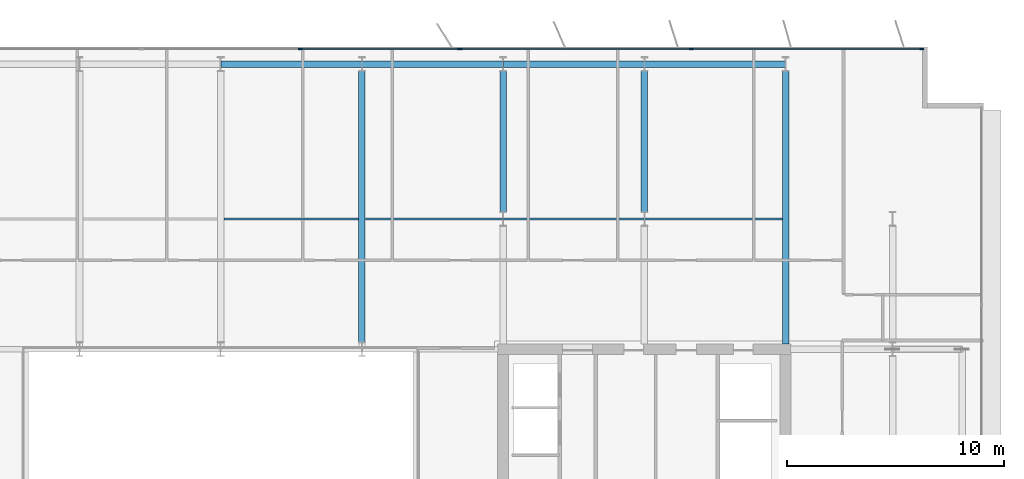
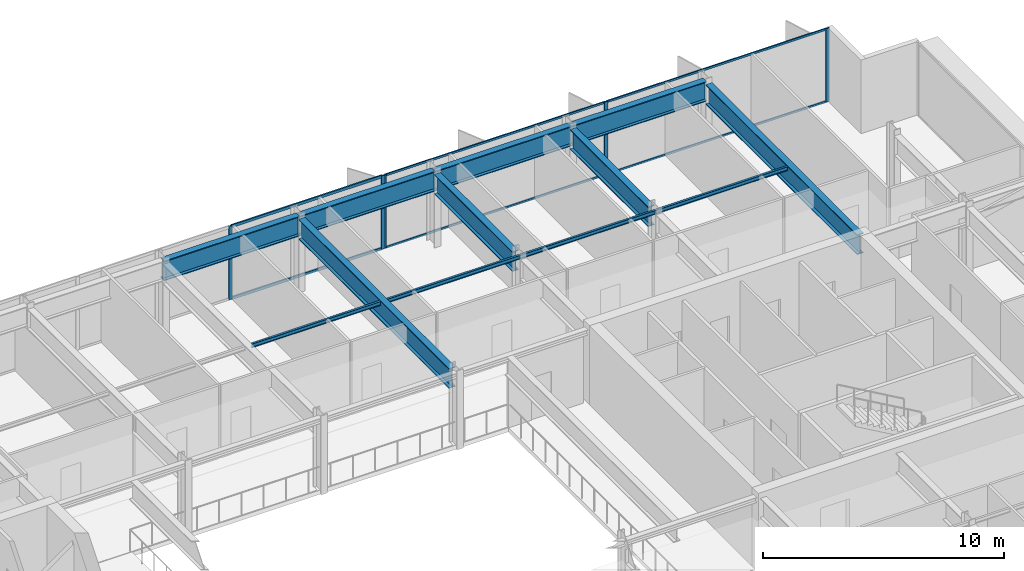
# One storey, part 9 of 20: 12 beams, 11 members, 2 elements without a shape of their own.
"""IFC4 building model written with IfcOpenShell, lengths in metres."""

import ifcopenshell
import ifcopenshell.guid

model = None  # the IFC model being written
_history = None  # IfcOwnerHistory: only IFC2X3 demands one
_inside = {}  # id of a spatial element -> (the spatial element, [elements in it])
_under = {}  # id of a project, library or spatial element -> (it, [spatial elements below it])
_declared = {}  # id of a project -> (the project, [libraries it declares])
_typed = {}  # id of a type object -> (the type object, [elements of that type])
_made_of = {}  # id of a material, layer set ... -> (it, [elements and type objects made of it])


def new_model(schema):
    """Start an empty IFC model of exactly this schema.

    Asked for "IFC4X3", IfcOpenShell would pick the latest addendum, in which some entities
    have other attributes; the version numbers below select the first issue.
    IFC2X3 requires an IfcOwnerHistory on every rooted entity: one is made here for all.
    """
    global model, _history
    if schema == "IFC4X3":
        model = ifcopenshell.file(schema_version=(4, 3, 0, 0))
    else:
        model = ifcopenshell.file(schema=schema)
    _inside.clear()
    _under.clear()
    _declared.clear()
    _typed.clear()
    _made_of.clear()
    _history = None
    if model.schema == "IFC2X3":
        org = make("IfcOrganization", Name="unknown")
        user = make(
            "IfcPersonAndOrganization",
            ThePerson=make("IfcPerson", FamilyName="unknown"),
            TheOrganization=org,
        )
        app = make(
            "IfcApplication",
            ApplicationDeveloper=org,
            Version="unknown",
            ApplicationFullName="unknown",
            ApplicationIdentifier="unknown",
        )
        _history = make(
            "IfcOwnerHistory",
            OwningUser=user,
            OwningApplication=app,
            ChangeAction="ADDED",
            CreationDate=0,
        )
    return model


def make(cls, **values):
    """One entity of the class cls with the attributes given. An attribute that is None is left unset."""
    return model.create_entity(
        cls, **{name: value for name, value in values.items() if value is not None}
    )


def rooted(cls, **values):
    """An entity with a GlobalId (a new one), such as an element, a storey or a relation."""
    return make(cls, GlobalId=ifcopenshell.guid.new(), OwnerHistory=_history, **values)


def si_unit(unit_type, name, prefix=None):
    """IfcSIUnit, for example si_unit("LENGTHUNIT", "METRE", prefix="MILLI")."""
    return make("IfcSIUnit", UnitType=unit_type, Prefix=prefix, Name=name)


def assignment(units):
    """IfcUnitAssignment: the units of a project."""
    return None if units is None else make("IfcUnitAssignment", Units=units)


def point(xyz):
    """IfcCartesianPoint."""
    return None if xyz is None else make("IfcCartesianPoint", Coordinates=xyz)


def direction(xyz):
    """IfcDirection."""
    return None if xyz is None else make("IfcDirection", DirectionRatios=xyz)


def frame(location, z_axis=None, x_axis=None):
    """IfcAxis2Placement3D, a coordinate frame: its origin and axes. An axis left out is left unset."""
    return make(
        "IfcAxis2Placement3D",
        Location=point(location),
        Axis=direction(z_axis),
        RefDirection=direction(x_axis),
    )


def frame_2d(location, x_axis=None):
    """IfcAxis2Placement2D, a coordinate frame in the plane: its origin and x axis."""
    return make(
        "IfcAxis2Placement2D", Location=point(location), RefDirection=direction(x_axis)
    )


def origin():
    """The frame at (0, 0, 0) with its axes left unset."""
    return frame((0.0, 0.0, 0.0))


def origin_2d():
    """The frame at (0, 0) in the plane with its x axis left unset."""
    return frame_2d((0.0, 0.0))


def place(relative_to, where):
    """IfcLocalPlacement: puts the frame where relative to a parent placement (None: the world)."""
    return make(
        "IfcLocalPlacement", PlacementRelTo=relative_to, RelativePlacement=where
    )


def context(
    kind, dimensions, precision=None, world=None, true_north=None, identifier=None
):
    """IfcGeometricRepresentationContext, for example the 3D "Model" context."""
    return make(
        "IfcGeometricRepresentationContext",
        ContextIdentifier=identifier,
        ContextType=kind,
        CoordinateSpaceDimension=dimensions,
        Precision=precision,
        WorldCoordinateSystem=world,
        TrueNorth=true_north,
    )


def subcontext(parent, identifier, kind, view, scale=None):
    """IfcGeometricRepresentationSubContext, for example "Body" below "Model"."""
    return make(
        "IfcGeometricRepresentationSubContext",
        ContextIdentifier=identifier,
        ContextType=kind,
        ParentContext=parent,
        TargetScale=scale,
        TargetView=view,
    )


def project(units=None, contexts=None):
    """IfcProject with its units and contexts."""
    return rooted(
        "IfcProject",
        Name="project",
        RepresentationContexts=contexts,
        UnitsInContext=assignment(units),
    )


def spatial(cls, under=None, at=None, **own):
    """A site, building, storey or space (cls), placed at a placement, below another one or the project."""
    s = rooted(cls, ObjectPlacement=at, **own)
    if under is not None:
        _under.setdefault(under.id(), (under, []))[1].append(s)
    return s


def profile(cls, at=None, kind="AREA", **sizes):
    """A parametric profile (cls). Its sizes go by their IFC names, for example OverallWidth=200.0."""
    return make(cls, ProfileType=kind, Position=at, **sizes)


def rectangle(**sizes):
    """IfcRectangleProfileDef."""
    return profile("IfcRectangleProfileDef", **sizes)


def i_section(**sizes):
    """IfcIShapeProfileDef."""
    return profile("IfcIShapeProfileDef", **sizes)


def extrude(swept, where, along, depth):
    """IfcExtrudedAreaSolid: the profile swept, set in the frame where, extruded along a direction by depth."""
    return make(
        "IfcExtrudedAreaSolid",
        SweptArea=swept,
        Position=where,
        ExtrudedDirection=direction(along),
        Depth=depth,
    )


def shape(context_of_items, identifier, shape_type, items):
    """IfcShapeRepresentation: the items that make up one representation, for example the "Body"."""
    return make(
        "IfcShapeRepresentation",
        ContextOfItems=context_of_items,
        RepresentationIdentifier=identifier,
        RepresentationType=shape_type,
        Items=items,
    )


def material(Name=None, Category=None):
    """IfcMaterial."""
    return make("IfcMaterial", Name=Name, Category=Category)


def layer(
    of_material, thickness, ventilated=None, Name=None, Category=None, Priority=None
):
    """IfcMaterialLayer: one layer of a wall or slab, of a material (None: an air gap)."""
    return make(
        "IfcMaterialLayer",
        Material=of_material,
        LayerThickness=thickness,
        IsVentilated=ventilated,
        Name=Name,
        Category=Category,
        Priority=Priority,
    )


def layer_set(layers, Name=None):
    """IfcMaterialLayerSet."""
    return make("IfcMaterialLayerSet", MaterialLayers=layers, LayerSetName=Name)


def material_profile(
    of_material, cross_section, Name=None, Category=None, Priority=None
):
    """IfcMaterialProfile: a cross section and its material."""
    return make(
        "IfcMaterialProfile",
        Name=Name,
        Material=of_material,
        Profile=cross_section,
        Priority=Priority,
        Category=Category,
    )


def profile_set(profiles, Name=None, composite=None):
    """IfcMaterialProfileSet."""
    return make(
        "IfcMaterialProfileSet",
        Name=Name,
        MaterialProfiles=profiles,
        CompositeProfile=composite,
    )


def made_of(thing, what):
    """Note that an element or type object is made of a material, layer set ...; save() writes the relation."""
    if what is not None:
        _made_of.setdefault(what.id(), (what, []))[1].append(thing)
    return thing


def type_object(cls, material=None, **own):
    """A type object (cls), such as IfcWallType, which elements share."""
    return made_of(rooted(cls, **own), material)


def element(
    cls,
    number,
    at=None,
    inside=None,
    cuts=None,
    type_object=None,
    material=None,
    context=None,
    identifier="Body",
    shape_type=None,
    held_by="IfcProductDefinitionShape",
    body=None,
    shapes=None,
    **own,
):
    """One element of the class cls, such as IfcWall. Its Tag is "e" and its number.

    at: its placement. inside: the storey or other place that contains it. cuts: it is an
    opening in that element (IfcRelVoidsElement). A single representation is given by context,
    identifier, shape_type and body (its items); several are given by shapes. held_by: the class
    of the entity that holds the representations. save() writes the other relations.
    """
    e = rooted(cls, Tag="e%d" % number, ObjectPlacement=at, **own)
    if body is not None:
        shapes = [shape(context, identifier, shape_type, body)]
    if shapes is not None:
        e.Representation = make(held_by, Representations=shapes)
    if inside is not None:
        _inside.setdefault(inside.id(), (inside, []))[1].append(e)
    if cuts is not None:
        rooted(
            "IfcRelVoidsElement", RelatingBuildingElement=cuts, RelatedOpeningElement=e
        )
    if type_object is not None:
        _typed.setdefault(type_object.id(), (type_object, []))[1].append(e)
    return made_of(e, material)


def aggregate(whole, parts):
    """IfcRelAggregates: a whole, such as a stair, and the parts it consists of."""
    return rooted("IfcRelAggregates", RelatingObject=whole, RelatedObjects=parts)


def save(model, path):
    """Write the relations noted so far, then the file.

    IfcRelAggregates (storeys below a building ...), IfcRelContainedInSpatialStructure (elements
    in a storey), IfcRelDefinesByType, IfcRelAssociatesMaterial and IfcRelDeclares: one each for
    every whole, place, type object, material and project.
    """
    for whole, parts in _under.values():
        aggregate(whole, parts)
    for where, things in _inside.values():
        rooted(
            "IfcRelContainedInSpatialStructure",
            RelatedElements=things,
            RelatingStructure=where,
        )
    for kind, things in _typed.values():
        rooted("IfcRelDefinesByType", RelatedObjects=things, RelatingType=kind)
    for what, things in _made_of.values():
        rooted("IfcRelAssociatesMaterial", RelatedObjects=things, RelatingMaterial=what)
    for by, libraries in _declared.values():
        rooted("IfcRelDeclares", RelatingContext=by, RelatedDefinitions=libraries)
    model.write(path)


model = new_model("IFC4")

# Units and contexts
model_context = context("Model", 3, precision=1e-05, world=origin(), true_north=direction((0.0, 1.0)))
body_context = subcontext(model_context, "Body", "Model", "MODEL_VIEW")
ifc_project = project(units=[si_unit("LENGTHUNIT", "METRE"), si_unit("AREAUNIT", "SQUARE_METRE"), si_unit("VOLUMEUNIT", "CUBIC_METRE"), si_unit("PLANEANGLEUNIT", "RADIAN"), si_unit("MASSUNIT", "GRAM", prefix="KILO")], contexts=[model_context])

# Site, building, storey
site_placement = place(None, origin())
site = spatial("IfcSite", under=ifc_project, at=site_placement, CompositionType="ELEMENT")
building_placement = place(site_placement, origin())
building = spatial("IfcBuilding", under=site, at=building_placement, Name="Putna Gate Headquarters", CompositionType="ELEMENT")
storey_placement = place(building_placement, frame((0.0, 0.0, 306.39990234375)))
storey = spatial("IfcBuildingStorey", under=building, at=storey_placement, Name="L77", CompositionType="ELEMENT", Elevation=306.39990234375)

# Beams
ifc_material_1 = material(Name="Steel S355J2", Category="steel")
ifc_material_profile_1 = material_profile(ifc_material_1, i_section(OverallWidth=0.10009765625, OverallDepth=0.199951171875, WebThickness=0.005615234375, FlangeThickness=0.008544921875, at=origin_2d()), Name="Steel S355J2")
ifc_profile_set_1 = profile_set([ifc_material_profile_1], Name="Steel S355J2")
beam_type_1 = type_object("IfcBeamType", Name="BM-SEC-PLT-IPE200", PredefinedType="JOIST", material=ifc_profile_set_1)
beam_1_placement = place(storey_placement, frame((39.155029296875, 39.0, 3.6201171875), z_axis=(1.0, 0.0, 0.0), x_axis=(0.0, 1.0, 0.0)))
element("IfcBeam", 1, at=beam_1_placement, inside=storey, type_object=beam_type_1, Name="L77 North Secondary Beam 5", PredefinedType="JOIST", context=body_context, shape_type="SweptSolid", body=[
    extrude(i_section(OverallWidth=0.10009765625, OverallDepth=0.199951171875, WebThickness=0.005615234375, FlangeThickness=0.008544921875, at=origin_2d()), origin(), (0.0, 0.0, 1.0), 6.18994140625),
])
beam_2_placement = place(storey_placement, frame((45.655029296875, 39.0, 3.6201171875), z_axis=(1.0, 0.0, 0.0), x_axis=(0.0, 1.0, 0.0)))
element("IfcBeam", 2, at=beam_2_placement, inside=storey, type_object=beam_type_1, Name="L77 North Secondary Beam 6", PredefinedType="JOIST", context=body_context, shape_type="SweptSolid", body=[
    extrude(i_section(OverallWidth=0.10009765625, OverallDepth=0.199951171875, WebThickness=0.005615234375, FlangeThickness=0.008544921875, at=origin_2d()), origin(), (0.0, 0.0, 1.0), 6.3388671875),
])
beam_3_placement = place(storey_placement, frame((52.006103515625, 39.0, 3.6201171875), z_axis=(1.0, 0.0, 0.0), x_axis=(0.0, 1.0, 0.0)))
element("IfcBeam", 3, at=beam_3_placement, inside=storey, type_object=beam_type_1, Name="L77 North Secondary Beam 7", PredefinedType="JOIST", context=body_context, shape_type="SweptSolid", body=[
    extrude(i_section(OverallWidth=0.10009765625, OverallDepth=0.199951171875, WebThickness=0.005615234375, FlangeThickness=0.008544921875, at=origin_2d()), origin(), (0.0, 0.0, 1.0), 6.48779296875),
])
beam_4_placement = place(storey_placement, frame((58.506103515625, 39.0, 3.6201171875), z_axis=(1.0, 0.0, 0.0), x_axis=(0.0, 1.0, 0.0)))
element("IfcBeam", 4, at=beam_4_placement, inside=storey, type_object=beam_type_1, Name="L77 North Secondary Beam 8", PredefinedType="JOIST", context=body_context, shape_type="SweptSolid", body=[
    extrude(i_section(OverallWidth=0.10009765625, OverallDepth=0.199951171875, WebThickness=0.005615234375, FlangeThickness=0.008544921875, at=origin_2d()), origin(), (0.0, 0.0, 1.0), 6.3388671875),
])
ifc_material_2 = material(Name="Steel S460M", Category="steel")
ifc_material_profile_2 = material_profile(ifc_material_2, i_section(OverallWidth=0.302001953125, OverallDepth=1.008056640625, WebThickness=0.02099609375, FlangeThickness=0.0400390625, at=origin_2d()), Name="Steel S460M")
ifc_profile_set_2 = profile_set([ifc_material_profile_2], Name="Steel S460M")
beam_type_2 = type_object("IfcBeamType", Name="BM-TG-HEM1000", PredefinedType="USERDEFINED", material=ifc_profile_set_2)
beam_5_placement = place(storey_placement, frame((45.5, 33.322021484375, 3.216064453125), z_axis=(0.0, 1.0, 0.0), x_axis=(-1.0, 0.0, 0.0)))
element("IfcBeam", 5, at=beam_5_placement, inside=storey, type_object=beam_type_2, Name="L77 North Primary Girder X45", ObjectType="GIRDER", PredefinedType="USERDEFINED", context=body_context, shape_type="SweptSolid", body=[
    extrude(i_section(OverallWidth=0.302001953125, OverallDepth=1.008056640625, WebThickness=0.02099609375, FlangeThickness=0.0400390625, at=origin_2d()), origin(), (0.0, 0.0, 1.0), 12.47607421875),
])
for number, where, z_axis, x_axis, name in (
    (6, (52.0, 39.322021484375, 3.216064453125), (0.0, 1.0, 0.0), (-1.0, 0.0, 0.0), "L77 North Primary Girder X52-2"),
    (7, (58.5, 39.322021484375, 3.216064453125), (0.0, 1.0, 0.0), (-1.0, 0.0, 0.0), "L77 North Primary Girder X58-2"),
):
    element("IfcBeam", number, at=place(storey_placement, frame(where, z_axis=z_axis, x_axis=x_axis)), inside=storey, type_object=beam_type_2, Name=name, ObjectType="GIRDER", PredefinedType="USERDEFINED", context=body_context, shape_type="SweptSolid", body=[
        extrude(i_section(OverallWidth=0.302001953125, OverallDepth=1.008056640625, WebThickness=0.02099609375, FlangeThickness=0.0400390625, at=origin_2d()), origin(), (0.0, 0.0, 1.0), 6.47607421875),
    ])
beam_6_placement = place(storey_placement, frame((65.0, 33.235107421875, 3.216064453125), z_axis=(0.0, 1.0, 0.0), x_axis=(-1.0, 0.0, 0.0)))
element("IfcBeam", 8, at=beam_6_placement, inside=storey, type_object=beam_type_2, Name="L77 North Primary Girder X65", ObjectType="GIRDER", PredefinedType="USERDEFINED", context=body_context, shape_type="SweptSolid", body=[
    extrude(i_section(OverallWidth=0.302001953125, OverallDepth=1.008056640625, WebThickness=0.02099609375, FlangeThickness=0.0400390625, at=origin_2d()), origin(), (0.0, 0.0, 1.0), 12.56298828125),
])
ifc_material_profile_3 = material_profile(ifc_material_2, i_section(OverallWidth=0.302001953125, OverallDepth=1.008056640625, WebThickness=0.02099609375, FlangeThickness=0.0400390625, at=origin_2d()), Name="Steel S460M")
ifc_profile_set_3 = profile_set([ifc_material_profile_3], Name="Steel S460M")
beam_type_3 = type_object("IfcBeamType", Name="BM-TG-HEM1000-EXT", PredefinedType="USERDEFINED", material=ifc_profile_set_3)
for number, where, z_axis, x_axis, name in (
    (9, (39.006103515625, 46.1201171875, 3.216064453125), (1.0, 0.0, 0.0), (0.0, 1.0, 0.0), "L77 N Perimeter Spandrel 5"),
    (10, (45.506103515625, 46.1201171875, 3.216064453125), (1.0, 0.0, 0.0), (0.0, 1.0, 0.0), "L77 N Perimeter Spandrel 6"),
    (11, (52.006103515625, 46.1201171875, 3.216064453125), (1.0, 0.0, 0.0), (0.0, 1.0, 0.0), "L77 N Perimeter Spandrel 7"),
    (12, (58.506103515625, 46.1201171875, 3.216064453125), (1.0, 0.0, 0.0), (0.0, 1.0, 0.0), "L77 N Perimeter Spandrel 8"),
):
    element("IfcBeam", number, at=place(storey_placement, frame(where, z_axis=z_axis, x_axis=x_axis)), inside=storey, type_object=beam_type_3, Name=name, ObjectType="GIRDER", PredefinedType="USERDEFINED", context=body_context, shape_type="SweptSolid", body=[
        extrude(i_section(OverallWidth=0.302001953125, OverallDepth=1.008056640625, WebThickness=0.02099609375, FlangeThickness=0.0400390625, at=origin_2d()), origin(), (0.0, 0.0, 1.0), 6.48779296875),
    ])

# Curtain wall, members
ifc_material_3 = material(Name="Anodised bronze aluminium curtain wall", Category="aluminium")
ifc_layer_1 = layer(ifc_material_3, 0.179931640625)
ifc_layer_set_1 = layer_set([ifc_layer_1], Name="Anodised bronze aluminium curtain wall")
curtain_wall_type_1 = type_object("IfcCurtainWallType", Name="CW-SYS-Z5", PredefinedType="USERDEFINED", material=ifc_layer_set_1)
curtain_wall_1_placement = place(storey_placement, origin())
curtain_wall_1 = element("IfcCurtainWall", 13, at=curtain_wall_1_placement, inside=storey, type_object=curtain_wall_type_1, Name="L77 North East Curtain Wall", ObjectType="STICK CURTAIN WALL", PredefinedType="USERDEFINED")
ifc_material_4 = material(Name="Anodised bronze aluminium EN AW-6060", Category="aluminium")
ifc_material_profile_4 = material_profile(ifc_material_4, rectangle(XDim=0.070068359375, YDim=0.179931640625, at=origin_2d()), Name="Anodised bronze aluminium EN AW-6060")
ifc_profile_set_4 = profile_set([ifc_material_profile_4], Name="Anodised bronze aluminium EN AW-6060")
member_type_1 = type_object("IfcMemberType", Name="MULL-CWM-5", PredefinedType="MULLION", material=ifc_profile_set_4)
member_1_placement = place(storey_placement, frame((50.034912109375, 46.820068359375, 0.0), z_axis=(0.0, 0.0, 1.0), x_axis=(0.0, 1.0, 0.0)))
member_1 = element("IfcMember", 14, at=member_1_placement, type_object=member_type_1, Name="CWS-5 mullion 1", PredefinedType="MULLION", context=body_context, shape_type="SweptSolid", body=[
    extrude(rectangle(XDim=0.070068359375, YDim=0.179931640625, at=origin_2d()), origin(), (0.0, 0.0, 1.0), 3.72021484375),
])
member_2_placement = place(storey_placement, frame((60.64990234375, 46.820068359375, 0.0), z_axis=(0.0, 0.0, 1.0), x_axis=(0.0, 1.0, 0.0)))
member_2 = element("IfcMember", 15, at=member_2_placement, type_object=member_type_1, Name="CWS-5 mullion 2", PredefinedType="MULLION", context=body_context, shape_type="SweptSolid", body=[
    extrude(rectangle(XDim=0.070068359375, YDim=0.179931640625, at=origin_2d()), origin(), (0.0, 0.0, 1.0), 3.72021484375),
])
member_3_placement = place(storey_placement, frame((71.264892578125, 46.820068359375, 0.0), z_axis=(0.0, 0.0, 1.0), x_axis=(0.0, 1.0, 0.0)))
member_3 = element("IfcMember", 16, at=member_3_placement, type_object=member_type_1, Name="CWS-5 mullion 3", PredefinedType="MULLION", context=body_context, shape_type="SweptSolid", body=[
    extrude(rectangle(XDim=0.070068359375, YDim=0.179931640625, at=origin_2d()), origin(), (0.0, 0.0, 1.0), 3.72021484375),
])

ifc_layer_2 = layer(ifc_material_3, 0.179931640625)
ifc_layer_set_2 = layer_set([ifc_layer_2], Name="Anodised bronze aluminium curtain wall")
curtain_wall_type_2 = type_object("IfcCurtainWallType", Name="CW-SYS-ATR", PredefinedType="USERDEFINED", material=ifc_layer_set_2)
curtain_wall_2_placement = place(storey_placement, origin())
curtain_wall_2 = element("IfcCurtainWall", 17, at=curtain_wall_2_placement, inside=storey, type_object=curtain_wall_type_2, Name="L77 North Atrium Clear Glazing", ObjectType="ATRIUM GLAZING", PredefinedType="USERDEFINED")
ifc_material_profile_5 = material_profile(ifc_material_4, rectangle(XDim=0.070068359375, YDim=0.179931640625, at=origin_2d()), Name="Anodised bronze aluminium EN AW-6060")
ifc_profile_set_5 = profile_set([ifc_material_profile_5], Name="Anodised bronze aluminium EN AW-6060")
member_type_2 = type_object("IfcMemberType", Name="MULL-CWM-AT", PredefinedType="MULLION", material=ifc_profile_set_5)
member_4_placement = place(storey_placement, frame((42.666748046875, 46.820068359375, 0.0), z_axis=(0.0, 0.0, 1.0), x_axis=(0.0, 1.0, 0.0)))
member_4 = element("IfcMember", 18, at=member_4_placement, type_object=member_type_2, Name="CWS-AT mullion 3", PredefinedType="MULLION", context=body_context, shape_type="SweptSolid", body=[
    extrude(rectangle(XDim=0.070068359375, YDim=0.179931640625, at=origin_2d()), origin(), (0.0, 0.0, 1.0), 3.72021484375),
])
member_5_placement = place(storey_placement, frame((49.965087890625, 46.820068359375, 0.0), z_axis=(0.0, 0.0, 1.0), x_axis=(0.0, 1.0, 0.0)))
member_5 = element("IfcMember", 19, at=member_5_placement, type_object=member_type_2, Name="CWS-AT mullion 4", PredefinedType="MULLION", context=body_context, shape_type="SweptSolid", body=[
    extrude(rectangle(XDim=0.070068359375, YDim=0.179931640625, at=origin_2d()), origin(), (0.0, 0.0, 1.0), 3.72021484375),
])

# Member
ifc_material_profile_6 = material_profile(ifc_material_4, rectangle(XDim=0.06005859375, YDim=0.10009765625, at=origin_2d()), Name="Anodised bronze aluminium EN AW-6060")
ifc_profile_set_6 = profile_set([ifc_material_profile_6], Name="Anodised bronze aluminium EN AW-6060")
member_type_3 = type_object("IfcMemberType", Name="TRAN-CWT-5", PredefinedType="USERDEFINED", material=ifc_profile_set_6)
member_6_placement = place(storey_placement, frame((50.070068359375, 46.820068359375, 0.030029296875), z_axis=(1.0, 0.0, 0.0), x_axis=(0.0, 1.0, 0.0)))
member_6 = element("IfcMember", 20, at=member_6_placement, type_object=member_type_3, Name="CWS-5 transom 1.1", ObjectType="TRANSOM", PredefinedType="USERDEFINED", context=body_context, shape_type="SweptSolid", body=[
    extrude(rectangle(XDim=0.06005859375, YDim=0.10009765625, at=origin_2d()), origin(), (0.0, 0.0, 1.0), 10.544921875),
])

member_7_placement = place(storey_placement, frame((50.070068359375, 46.820068359375, 3.690185546875), z_axis=(1.0, 0.0, 0.0), x_axis=(0.0, 1.0, 0.0)))
member_7 = element("IfcMember", 21, at=member_7_placement, type_object=member_type_3, Name="CWS-5 transom 1.2", ObjectType="TRANSOM", PredefinedType="USERDEFINED", context=body_context, shape_type="SweptSolid", body=[
    extrude(rectangle(XDim=0.06005859375, YDim=0.10009765625, at=origin_2d()), origin(), (0.0, 0.0, 1.0), 10.544921875),
])

member_8_placement = place(storey_placement, frame((60.68505859375, 46.820068359375, 0.030029296875), z_axis=(1.0, 0.0, 0.0), x_axis=(0.0, 1.0, 0.0)))
member_8 = element("IfcMember", 22, at=member_8_placement, type_object=member_type_3, Name="CWS-5 transom 2.1", ObjectType="TRANSOM", PredefinedType="USERDEFINED", context=body_context, shape_type="SweptSolid", body=[
    extrude(rectangle(XDim=0.06005859375, YDim=0.10009765625, at=origin_2d()), origin(), (0.0, 0.0, 1.0), 10.544921875),
])

member_9_placement = place(storey_placement, frame((60.68505859375, 46.820068359375, 3.690185546875), z_axis=(1.0, 0.0, 0.0), x_axis=(0.0, 1.0, 0.0)))
member_9 = element("IfcMember", 23, at=member_9_placement, type_object=member_type_3, Name="CWS-5 transom 2.2", ObjectType="TRANSOM", PredefinedType="USERDEFINED", context=body_context, shape_type="SweptSolid", body=[
    extrude(rectangle(XDim=0.06005859375, YDim=0.10009765625, at=origin_2d()), origin(), (0.0, 0.0, 1.0), 10.544921875),
])

aggregate(curtain_wall_1, [member_1, member_2, member_3, member_6, member_7, member_8, member_9])

ifc_material_profile_7 = material_profile(ifc_material_4, rectangle(XDim=0.070068359375, YDim=0.139892578125, at=origin_2d()), Name="Anodised bronze aluminium EN AW-6060")
ifc_profile_set_7 = profile_set([ifc_material_profile_7], Name="Anodised bronze aluminium EN AW-6060")
member_type_4 = type_object("IfcMemberType", Name="TRAN-CWT-AT", PredefinedType="USERDEFINED", material=ifc_profile_set_7)
member_10_placement = place(storey_placement, frame((42.70166015625, 46.820068359375, 0.03515625), z_axis=(1.0, 0.0, 0.0), x_axis=(0.0, 1.0, 0.0)))
member_10 = element("IfcMember", 24, at=member_10_placement, type_object=member_type_4, Name="CWS-AT transom 3.1", ObjectType="TRANSOM", PredefinedType="USERDEFINED", context=body_context, shape_type="SweptSolid", body=[
    extrude(rectangle(XDim=0.070068359375, YDim=0.139892578125, at=origin_2d()), origin(), (0.0, 0.0, 1.0), 7.228271484375),
])

member_11_placement = place(storey_placement, frame((42.70166015625, 46.820068359375, 3.68505859375), z_axis=(1.0, 0.0, 0.0), x_axis=(0.0, 1.0, 0.0)))
member_11 = element("IfcMember", 25, at=member_11_placement, type_object=member_type_4, Name="CWS-AT transom 3.2", ObjectType="TRANSOM", PredefinedType="USERDEFINED", context=body_context, shape_type="SweptSolid", body=[
    extrude(rectangle(XDim=0.070068359375, YDim=0.139892578125, at=origin_2d()), origin(), (0.0, 0.0, 1.0), 7.228271484375),
])

aggregate(curtain_wall_2, [member_4, member_5, member_10, member_11])

save(model, "model.ifc")
